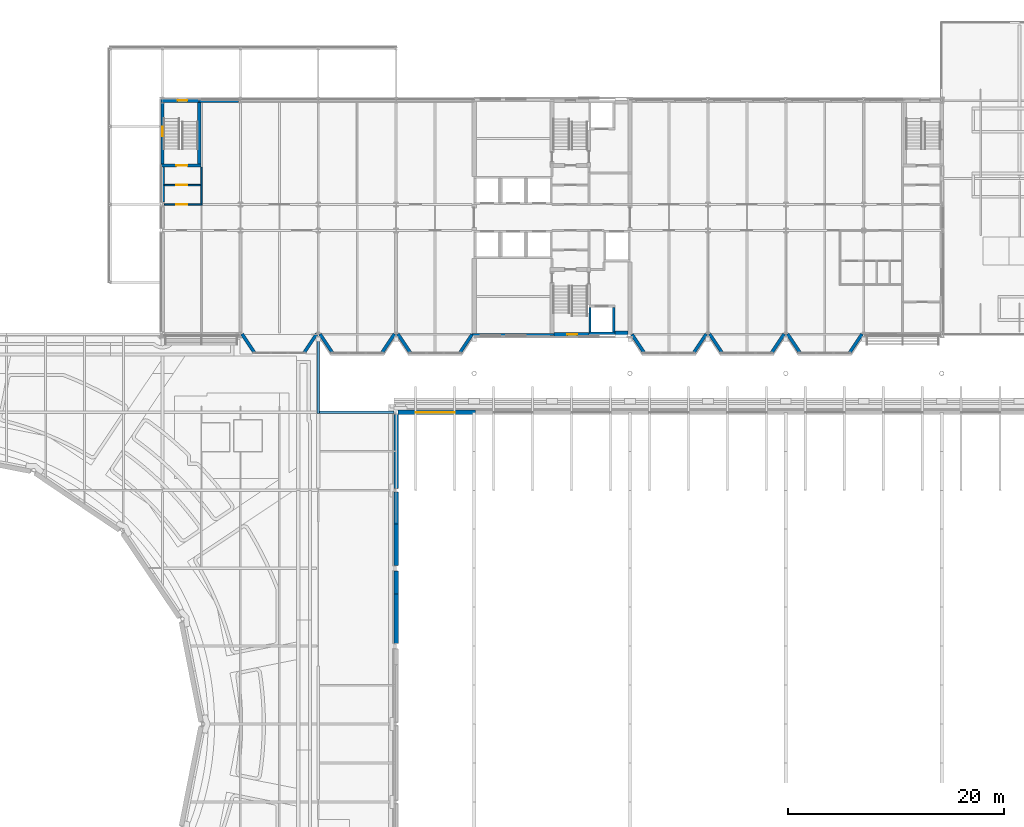
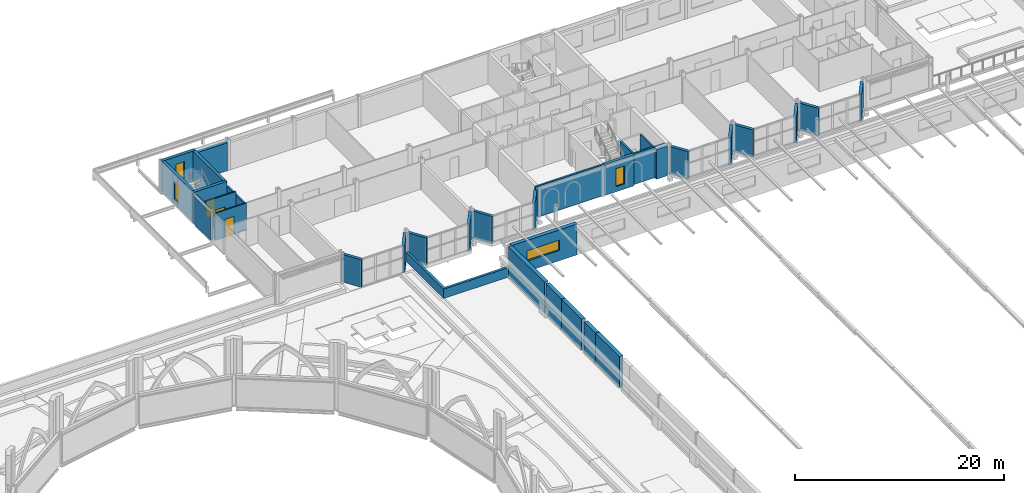
# One storey, part 40 of 110: 35 walls, 4 windows, 3 doors, 7 openings.
"""IFC4 building model written with IfcOpenShell, lengths in metres."""

from ifc_helpers import new_model, si_unit, direction, frame, frame_2d, origin, place, context, subcontext, project, spatial, rectangle, extrude, material, layer, layer_set, type_object, element, fill, save


model = new_model("IFC4")

# Units and contexts
model_context = context("Model", 3, precision=1e-05, world=origin(), true_north=direction((0.0, 1.0)))
body_context = subcontext(model_context, "Body", "Model", "MODEL_VIEW")
ifc_project = project(units=[si_unit("LENGTHUNIT", "METRE"), si_unit("AREAUNIT", "SQUARE_METRE"), si_unit("VOLUMEUNIT", "CUBIC_METRE"), si_unit("PLANEANGLEUNIT", "RADIAN"), si_unit("MASSUNIT", "GRAM", prefix="KILO")], contexts=[model_context])

# Site, building, storey
site_placement = place(None, origin())
site = spatial("IfcSite", under=ifc_project, at=site_placement, CompositionType="ELEMENT")
building_placement = place(site_placement, origin())
building = spatial("IfcBuilding", under=site, at=building_placement, Name="Kupolbacken Congress Centre", CompositionType="ELEMENT")
storey_placement = place(building_placement, frame((0.0, 0.0, 18.0)))
storey = spatial("IfcBuildingStorey", under=building, at=storey_placement, Name="L05", CompositionType="ELEMENT", Elevation=18.0)

# Walls
ifc_material_1 = material(Name="Limestone", Category="masonry")
ifc_layer_1 = layer(ifc_material_1, 0.06005859375)
ifc_material_2 = material(Name="Air cavity", Category="air")
ifc_layer_2 = layer(ifc_material_2, 0.0400390625, ventilated=True)
ifc_material_3 = material(Name="Mineral wool", Category="insulation")
ifc_layer_3 = layer(ifc_material_3, 0.14990234375)
ifc_material_4 = material(Name="Steel studs", Category="metal")
ifc_layer_4 = layer(ifc_material_4, 0.050048828125)
ifc_layer_set_1 = layer_set([ifc_layer_1, ifc_layer_2, ifc_layer_3, ifc_layer_4], Name="Limestone / Mineral wool / Steel studs")
wall_type_1 = type_object("IfcWallType", Name="EW01 external cavity wall 300", PredefinedType="SOLIDWALL", material=ifc_layer_set_1)
for number, where, z_axis, x_axis, name in (
    (1, (72.153564453125, 122.440185546875, 0.0), (0.0, 0.0, 1.0), (0.554620150341, -0.8321036527, 0.0), "E/T/cumba/L05/S/001/facW"),
    (2, (79.04638671875, 122.440185546875, 0.0), (0.0, 0.0, 1.0), (-0.554620150341, -0.8321036527, 0.0), "E/T/cumba/L05/S/001/facE"),
):
    element("IfcWall", number, at=place(storey_placement, frame(where, z_axis=z_axis, x_axis=x_axis)), inside=storey, type_object=wall_type_1, Name=name, PredefinedType="SOLIDWALL", context=body_context, shape_type="SweptSolid", body=[
        extrude(rectangle(XDim=2.111572265625, YDim=0.300048828125, at=frame_2d((1.0556640625, 0.0))), origin(), (0.0, 0.0, 1.0), 3.219970703125),
    ])
for number, where, z_axis, x_axis, name in (
    (3, (79.353515625, 122.440185546875, 0.0), (0.0, 0.0, 1.0), (0.554700196225, -0.832050294338, 0.0), "E/T/cumba/L05/S/005/facW"),
    (4, (86.24658203125, 122.440185546875, 0.0), (0.0, 0.0, 1.0), (-0.554700196225, -0.832050294338, 0.0), "E/T/cumba/L05/S/005/facE"),
    (5, (86.553466796875, 122.440185546875, 0.0), (0.0, 0.0, 1.0), (0.554700196225, -0.832050294338, 0.0), "E/T/cumba/L05/S/009/facW"),
):
    element("IfcWall", number, at=place(storey_placement, frame(where, z_axis=z_axis, x_axis=x_axis)), inside=storey, type_object=wall_type_1, Name=name, PredefinedType="SOLIDWALL", context=body_context, shape_type="SweptSolid", body=[
        extrude(rectangle(XDim=2.11181640625, YDim=0.300048828125, at=frame_2d((1.055908203125, 0.0))), origin(), (0.0, 0.0, 1.0), 3.219970703125),
    ])
for number, where, z_axis, x_axis, name in (
    (6, (93.419677734375, 122.39990234375, 0.0), (0.0, 0.0, 1.0), (-0.554700196225, -0.832050294338, 0.0), "E/T/cumba/L05/S/009/facE"),
    (7, (108.180419921875, 122.39990234375, 0.0), (0.0, 0.0, 1.0), (0.554618271946, -0.832104904699, 0.0), "E/T/cumba/L05/S/013/facW"),
):
    element("IfcWall", number, at=place(storey_placement, frame(where, z_axis=z_axis, x_axis=x_axis)), inside=storey, type_object=wall_type_1, Name=name, PredefinedType="SOLIDWALL", context=body_context, shape_type="SweptSolid", body=[
        extrude(rectangle(XDim=2.063232421875, YDim=0.300048828125, at=frame_2d((1.03173828125, 0.0))), origin(), (0.0, 0.0, 1.0), 3.219970703125),
    ])
wall_1_placement = place(storey_placement, frame((115.04638671875, 122.440185546875, 0.0), z_axis=(0.0, 0.0, 1.0), x_axis=(-0.554620150341, -0.8321036527, 0.0)))
element("IfcWall", 8, at=wall_1_placement, inside=storey, type_object=wall_type_1, Name="E/T/cumba/L05/S/013/facE", PredefinedType="SOLIDWALL", context=body_context, shape_type="SweptSolid", body=[
    extrude(rectangle(XDim=2.111572265625, YDim=0.300048828125, at=frame_2d((1.0556640625, 0.0))), origin(), (0.0, 0.0, 1.0), 3.219970703125),
])
for number, where, z_axis, x_axis, name in (
    (9, (115.353515625, 122.440185546875, 0.0), (0.0, 0.0, 1.0), (0.554700196225, -0.832050294338, 0.0), "E/T/cumba/L05/S/017/facW"),
    (10, (122.24658203125, 122.440185546875, 0.0), (0.0, 0.0, 1.0), (-0.554700196225, -0.832050294338, 0.0), "E/T/cumba/L05/S/017/facE"),
    (11, (122.553466796875, 122.440185546875, 0.0), (0.0, 0.0, 1.0), (0.554700196225, -0.832050294338, 0.0), "E/T/cumba/L05/S/021/facW"),
    (12, (129.446533203125, 122.440185546875, 0.0), (0.0, 0.0, 1.0), (-0.554700196225, -0.832050294338, 0.0), "E/T/cumba/L05/S/021/facE"),
):
    element("IfcWall", number, at=place(storey_placement, frame(where, z_axis=z_axis, x_axis=x_axis)), inside=storey, type_object=wall_type_1, Name=name, PredefinedType="SOLIDWALL", context=body_context, shape_type="SweptSolid", body=[
        extrude(rectangle(XDim=2.11181640625, YDim=0.300048828125, at=frame_2d((1.055908203125, 0.0))), origin(), (0.0, 0.0, 1.0), 3.219970703125),
    ])
ifc_material_5 = material(Name="Brick", Category="masonry")
ifc_layer_5 = layer(ifc_material_5, 0.10791015625)
ifc_layer_6 = layer(ifc_material_2, 0.050048828125, ventilated=True)
ifc_layer_7 = layer(ifc_material_3, 0.1298828125)
ifc_layer_8 = layer(ifc_material_4, 0.052001953125)
ifc_layer_set_2 = layer_set([ifc_layer_5, ifc_layer_6, ifc_layer_7, ifc_layer_8], Name="Brick / Mineral wool / Steel studs")
wall_type_2 = type_object("IfcWallType", Name="EW02 external cavity wall 340", PredefinedType="SOLIDWALL", material=ifc_layer_set_2)
wall_2_placement = place(storey_placement, frame((71.846435546875, 144.0, 0.0), z_axis=(0.0, 0.0, 1.0), x_axis=(-1.0, 0.0, 0.0)))
element("IfcWall", 13, at=wall_2_placement, inside=storey, type_object=wall_type_2, Name="E/T/N/L05/073", PredefinedType="SOLIDWALL", context=body_context, shape_type="SweptSolid", body=[
    extrude(rectangle(XDim=3.646484375, YDim=0.340087890625, at=frame_2d((1.8232421875, 0.0))), origin(), (0.0, 0.0, 1.0), 3.260009765625),
])
wall_3_placement = place(storey_placement, frame((64.800048828125, 138.0, 0.0), z_axis=(0.0, 0.0, 1.0), x_axis=(0.0, -1.0, 0.0)))
element("IfcWall", 14, at=wall_3_placement, inside=storey, type_object=wall_type_2, Name="E/T/W/L05/077", PredefinedType="SOLIDWALL", context=body_context, shape_type="SweptSolid", body=[
    extrude(rectangle(XDim=3.375, YDim=0.340087890625, at=frame_2d((1.6875, 0.0))), origin(), (0.0, 0.0, 1.0), 3.260009765625),
])
ifc_layer_9 = layer(ifc_material_5, 0.10791015625)
ifc_layer_10 = layer(ifc_material_2, 0.0400390625, ventilated=True)
ifc_layer_11 = layer(ifc_material_3, 0.152099609375)
ifc_material_6 = material(Name="Concrete block", Category="masonry")
ifc_layer_12 = layer(ifc_material_6, 0.1201171875)
ifc_layer_set_3 = layer_set([ifc_layer_9, ifc_layer_10, ifc_layer_11, ifc_layer_12], Name="Brick / Mineral wool / Concrete block")
wall_type_3 = type_object("IfcWallType", Name="EW04 external cavity wall 420", PredefinedType="SOLIDWALL", material=ifc_layer_set_3)
wall_4_placement = place(storey_placement, frame((86.39990234375, 114.989990234375, 0.0), z_axis=(0.0, 0.0, 1.0), x_axis=(0.0, -1.0, 0.0)))
element("IfcWall", 15, at=wall_4_placement, inside=storey, type_object=wall_type_3, Name="E/H/W/L05/469", PredefinedType="SOLIDWALL", context=body_context, shape_type="SweptSolid", body=[
    extrude(rectangle(XDim=6.844970703125, YDim=0.419921875, at=frame_2d((3.42236328125, 0.0))), origin(), (0.0, 0.0, 1.0), 3.60009765625),
])
wall_5_placement = place(storey_placement, frame((86.39990234375, 107.85498046875, 0.0), z_axis=(0.0, 0.0, 1.0), x_axis=(0.0, -1.0, 0.0)))
element("IfcWall", 16, at=wall_5_placement, inside=storey, type_object=wall_type_3, Name="E/H/W/L05/470", PredefinedType="SOLIDWALL", context=body_context, shape_type="SweptSolid", body=[
    extrude(rectangle(XDim=2.955078125, YDim=0.419921875, at=frame_2d((1.4775390625, 0.0))), origin(), (0.0, 0.0, 1.0), 3.60009765625),
])
wall_6_placement = place(storey_placement, frame((86.39990234375, 104.89990234375, 0.0), z_axis=(0.0, 0.0, 1.0), x_axis=(0.0, -1.0, 0.0)))
element("IfcWall", 17, at=wall_6_placement, inside=storey, type_object=wall_type_3, Name="Shaft wall LR2 471", PredefinedType="SOLIDWALL", context=body_context, shape_type="SweptSolid", body=[
    extrude(rectangle(XDim=3.85498046875, YDim=0.419921875, at=frame_2d((1.927490234375, 0.0))), origin(), (0.0, 0.0, 1.0), 3.60009765625),
])
wall_7_placement = place(storey_placement, frame((86.39990234375, 100.554931640625, 0.0), z_axis=(0.0, 0.0, 1.0), x_axis=(0.0, -1.0, 0.0)))
element("IfcWall", 18, at=wall_7_placement, inside=storey, type_object=wall_type_3, Name="Shaft wall LR2 472", PredefinedType="SOLIDWALL", context=body_context, shape_type="SweptSolid", body=[
    extrude(rectangle(XDim=2.155029296875, YDim=0.419921875, at=frame_2d((1.07763671875, 0.0))), origin(), (0.0, 0.0, 1.0), 3.60009765625),
])
wall_8_placement = place(storey_placement, frame((86.39990234375, 98.39990234375, 0.0), z_axis=(0.0, 0.0, 1.0), x_axis=(0.0, -1.0, 0.0)))
element("IfcWall", 19, at=wall_8_placement, inside=storey, type_object=wall_type_3, Name="Shaft wall LR4 473", PredefinedType="SOLIDWALL", context=body_context, shape_type="SweptSolid", body=[
    extrude(rectangle(XDim=4.554931640625, YDim=0.419921875, at=frame_2d((2.27734375, 0.0))), origin(), (0.0, 0.0, 1.0), 3.60009765625),
])

# Wall, opening, window
wall_9_placement = place(storey_placement, frame((93.7451171875, 115.199951171875, 0.0), z_axis=(0.0, 0.0, 1.0), x_axis=(-1.0, 0.0, 0.0)))
wall_9 = element("IfcWall", 20, at=wall_9_placement, inside=storey, type_object=wall_type_3, Name="E/H/N/L05/467.h2", PredefinedType="SOLIDWALL", context=body_context, shape_type="SweptSolid", body=[
    extrude(rectangle(XDim=7.195068359375, YDim=0.419921875, at=frame_2d((3.59765625, 0.0))), origin(), (0.0, 0.0, 1.0), 3.60009765625),
])
opening_1_placement = place(wall_9_placement, frame((1.945068359375, 0.0, 1.199951171875)))
opening_1 = element("IfcOpeningElement", 21, at=opening_1_placement, cuts=wall_9, Name="Opening W12", PredefinedType="OPENING", context=body_context, shape_type="SweptSolid", body=[
    extrude(rectangle(XDim=3.60009765625, YDim=1.199951171875, at=frame_2d((1.800048828125, 0.60009765625))), frame((0.0, 0.219970703125, 0.0), z_axis=(0.0, -1.0, 0.0), x_axis=(1.0, 0.0, 0.0)), (0.0, 0.0, 1.0), 0.43994140625),
])
ifc_material_7 = material(Name="Aluminium frame with double or triple glazing", Category="aluminium")
window_type_1 = type_object("IfcWindowType", Name="W12 window 3600x1200", PartitioningType="TRIPLE_PANEL_VERTICAL", PredefinedType="WINDOW", material=ifc_material_7)
window_1_placement = place(opening_1_placement, origin())
window_1 = element("IfcWindow", 22, at=window_1_placement, inside=storey, type_object=window_type_1, Name="E/H/N/L05/467/W1", OverallHeight=1.199951171875, OverallWidth=3.60009765625, PartitioningType="SINGLE_PANEL", PredefinedType="WINDOW", context=body_context, shape_type="SweptSolid", body=[
    extrude(rectangle(XDim=3.60009765625, YDim=1.199951171875, at=frame_2d((1.800048828125, 0.60009765625))), frame((0.0, 0.030029296875, 0.0), z_axis=(0.0, -1.0, 0.0), x_axis=(1.0, 0.0, 0.0)), (0.0, 0.0, 1.0), 0.06005859375),
])
fill(opening_1, window_1)

# Wall
ifc_material_8 = material(Name="Concrete C40/50", Category="concrete")
ifc_layer_13 = layer(ifc_material_8, 0.35009765625)
ifc_layer_14 = layer(ifc_material_3, 0.1220703125)
ifc_layer_15 = layer(ifc_material_2, 0.0400390625, ventilated=True)
ifc_layer_16 = layer(ifc_material_5, 0.10791015625)
ifc_layer_set_4 = layer_set([ifc_layer_13, ifc_layer_14, ifc_layer_15, ifc_layer_16], Name="Concrete C40/50 / Mineral wool / Brick")
wall_type_4 = type_object("IfcWallType", Name="EW10 external cavity wall 620", PredefinedType="SOLIDWALL", material=ifc_layer_set_4)
wall_10_placement = place(storey_placement, frame((106.60009765625, 122.39990234375, 0.0), z_axis=(0.0, 0.0, 1.0), x_axis=(1.0, 0.0, 0.0)))
element("IfcWall", 23, at=wall_10_placement, inside=storey, type_object=wall_type_4, Name="E/T/S/L05/075", PredefinedType="SOLIDWALL", context=body_context, shape_type="SweptSolid", body=[
    extrude(rectangle(XDim=1.199951171875, YDim=0.6201171875, at=frame_2d((0.60009765625, 0.0))), origin(), (0.0, 0.0, 1.0), 3.4599609375),
])

# Wall, opening, door
ifc_material_9 = material(Name="Aerated concrete block", Category="masonry")
ifc_layer_17 = layer(ifc_material_9, 0.139892578125)
ifc_layer_set_5 = layer_set([ifc_layer_17], Name="Aerated concrete block")
wall_type_5 = type_object("IfcWallType", Name="P14 compartment wall 140", PredefinedType="PARTITIONING", material=ifc_layer_set_5)
wall_11_placement = place(storey_placement, frame((64.969970703125, 134.39990234375, 0.0), z_axis=(0.0, 0.0, 1.0), x_axis=(1.0, 0.0, 0.0)))
wall_11 = element("IfcWall", 24, at=wall_11_placement, inside=storey, type_object=wall_type_5, Name="T/wall/L05/x/13440/6480", PredefinedType="PARTITIONING", context=body_context, shape_type="SweptSolid", body=[
    extrude(rectangle(XDim=3.5, YDim=0.139892578125, at=frame_2d((1.75, 0.0))), origin(), (0.0, 0.0, 1.0), 3.159912109375),
])
opening_2_placement = place(wall_11_placement, frame((1.1298828125, 0.0, 0.0)))
opening_2 = element("IfcOpeningElement", 25, at=opening_2_placement, cuts=wall_11, Name="Opening D5", PredefinedType="OPENING", context=body_context, shape_type="SweptSolid", body=[
    extrude(rectangle(XDim=1.0, YDim=2.10009765625, at=frame_2d((0.5, 1.050048828125))), frame((0.0, 0.079833984375, 0.0), z_axis=(0.0, -1.0, 0.0), x_axis=(1.0, 0.0, 0.0)), (0.0, 0.0, 1.0), 0.159912109375),
])
ifc_material_10 = material(Name="Steel fire door leaf", Category="steel")
door_type = type_object("IfcDoorType", Name="D5 stair door 1000x2100", OperationType="SINGLE_SWING_LEFT", PredefinedType="DOOR", material=ifc_material_10)
door_1_placement = place(opening_2_placement, frame((1.0, 0.0, 0.0), z_axis=(0.0, 0.0, 1.0), x_axis=(-1.0, 0.0, 0.0)))
door_1 = element("IfcDoor", 26, at=door_1_placement, inside=storey, type_object=door_type, Name="T/wall/L05/x/13440/6480/D-TS3-LK3", OperationType="SINGLE_SWING_LEFT", OverallHeight=2.10009765625, OverallWidth=1.0, PredefinedType="DOOR", context=body_context, shape_type="SweptSolid", body=[
    extrude(rectangle(XDim=1.0, YDim=2.10009765625, at=frame_2d((0.5, 1.050048828125))), frame((0.0, 0.02490234375, 0.0), z_axis=(0.0, -1.0, 0.0), x_axis=(1.0, 0.0, 0.0)), (0.0, 0.0, 1.0), 0.050048828125),
])
fill(opening_2, door_1)

wall_12_placement = place(storey_placement, frame((64.969970703125, 136.199951171875, 0.0), z_axis=(0.0, 0.0, 1.0), x_axis=(1.0, 0.0, 0.0)))
wall_12 = element("IfcWall", 27, at=wall_12_placement, inside=storey, type_object=wall_type_5, Name="T/wall/L05/x/13620/6480", PredefinedType="PARTITIONING", context=body_context, shape_type="SweptSolid", body=[
    extrude(rectangle(XDim=3.360107421875, YDim=0.139892578125, at=frame_2d((1.68017578125, 0.0))), origin(), (0.0, 0.0, 1.0), 3.4599609375),
])
opening_3_placement = place(wall_12_placement, frame((1.1298828125, 0.0, 0.0)))
opening_3 = element("IfcOpeningElement", 28, at=opening_3_placement, cuts=wall_12, Name="Opening D5", PredefinedType="OPENING", context=body_context, shape_type="SweptSolid", body=[
    extrude(rectangle(XDim=1.0, YDim=2.10009765625, at=frame_2d((0.5, 1.050048828125))), frame((0.0, 0.079833984375, 0.0), z_axis=(0.0, -1.0, 0.0), x_axis=(1.0, 0.0, 0.0)), (0.0, 0.0, 1.0), 0.159912109375),
])
door_2_placement = place(opening_3_placement, frame((1.0, 0.0, 0.0), z_axis=(0.0, 0.0, 1.0), x_axis=(-1.0, 0.0, 0.0)))
door_2 = element("IfcDoor", 29, at=door_2_placement, inside=storey, type_object=door_type, Name="T/wall/L05/x/13620/6480/D-TS3-LK2", OperationType="SINGLE_SWING_LEFT", OverallHeight=2.10009765625, OverallWidth=1.0, PredefinedType="DOOR", context=body_context, shape_type="SweptSolid", body=[
    extrude(rectangle(XDim=1.0, YDim=2.10009765625, at=frame_2d((0.5, 1.050048828125))), frame((0.0, 0.02490234375, 0.0), z_axis=(0.0, -1.0, 0.0), x_axis=(1.0, 0.0, 0.0)), (0.0, 0.0, 1.0), 0.050048828125),
])
fill(opening_3, door_2)

# Walls
wall_13_placement = place(storey_placement, frame((68.39990234375, 134.469970703125, 0.0), z_axis=(0.0, 0.0, 1.0), x_axis=(0.0, 1.0, 0.0)))
element("IfcWall", 30, at=wall_13_placement, inside=storey, type_object=wall_type_5, Name="T/wall/L05/y/6840/13440", PredefinedType="PARTITIONING", context=body_context, shape_type="SweptSolid", body=[
    extrude(rectangle(XDim=3.380126953125, YDim=0.139892578125, at=frame_2d((1.68994140625, 0.0))), origin(), (0.0, 0.0, 1.0), 3.06005859375),
])
ifc_layer_18 = layer(ifc_material_5, 0.10791015625)
ifc_layer_19 = layer(ifc_material_6, 0.152099609375)
ifc_layer_set_6 = layer_set([ifc_layer_18, ifc_layer_19], Name="Brick / Concrete block")
wall_type_6 = type_object("IfcWallType", Name="PW2 parapet 260", PredefinedType="PARAPET", material=ifc_layer_set_6)
for number, where, z_axis, x_axis, name in (
    (31, (79.199951171875, 122.199951171875, 0.0), (0.0, 0.0, 1.0), (0.0, -1.0, 0.0), "E/roof/ring/03/01"),
    (32, (79.070068359375, 115.199951171875, 0.0), (0.0, 0.0, 1.0), (1.0, 0.0, 0.0), "E/roof/ring/03/02"),
):
    element("IfcWall", number, at=place(storey_placement, frame(where, z_axis=z_axis, x_axis=x_axis)), inside=storey, type_object=wall_type_6, Name=name, PredefinedType="PARAPET", context=body_context, shape_type="SweptSolid", body=[
        extrude(rectangle(XDim=7.1298828125, YDim=0.260009765625, at=frame_2d((3.56494140625, 0.0))), origin(), (0.0, 0.0, 1.0), 1.10009765625),
    ])
ifc_material_11 = material(Name="Concrete C40/50", Category="concrete")
ifc_layer_20 = layer(ifc_material_11, 0.199951171875)
ifc_layer_set_7 = layer_set([ifc_layer_20], Name="Concrete C40/50")
wall_type_7 = type_object("IfcWallType", Name="WC1 RC shaft wall 200", PredefinedType="SHEAR", material=ifc_layer_set_7)
wall_14_placement = place(storey_placement, frame((93.39990234375, 122.39990234375, 0.0), z_axis=(0.0, 0.0, 1.0), x_axis=(1.0, 0.0, 0.0)))
element("IfcWall", 33, at=wall_14_placement, inside=storey, type_object=wall_type_7, Name="Shaft wall L05-078", PredefinedType="SHEAR", context=body_context, shape_type="SweptSolid", body=[
    extrude(rectangle(XDim=7.5751953125, YDim=0.199951171875, at=frame_2d((3.78759765625, 0.0))), origin(), (0.0, 0.0, 1.0), 3.60009765625),
])
wall_15_placement = place(storey_placement, frame((104.199951171875, 122.5, 0.0), z_axis=(0.0, 0.0, 1.0), x_axis=(1.0, 0.0, 0.0)))
element("IfcWall", 34, at=wall_15_placement, inside=storey, type_object=wall_type_7, Name="Shaft wall LF1", PredefinedType="SHEAR", context=body_context, shape_type="SweptSolid", body=[
    extrude(rectangle(XDim=2.400146484375, YDim=0.199951171875, at=frame_2d((1.2001953125, 0.0))), origin(), (0.0, 0.0, 1.0), 3.60009765625),
])
for number, where, z_axis, x_axis, name in (
    (35, (104.300048828125, 122.60009765625, 0.0), (0.0, 0.0, 1.0), (0.0, 1.0, 0.0), "Shaft wall LF1"),
    (36, (106.5, 122.60009765625, 0.0), (0.0, 0.0, 1.0), (0.0, 1.0, 0.0), "Shaft wall LF1"),
):
    element("IfcWall", number, at=place(storey_placement, frame(where, z_axis=z_axis, x_axis=x_axis)), inside=storey, type_object=wall_type_7, Name=name, PredefinedType="SHEAR", context=body_context, shape_type="SweptSolid", body=[
        extrude(rectangle(XDim=2.2998046875, YDim=0.199951171875, at=frame_2d((1.14990234375, 0.0))), origin(), (0.0, 0.0, 1.0), 3.60009765625),
    ])

# Wall, opening, door
ifc_material_12 = material(Name="Concrete C40/50", Category="concrete")
ifc_layer_21 = layer(ifc_material_12, 0.300048828125)
ifc_layer_set_8 = layer_set([ifc_layer_21], Name="Concrete C40/50")
wall_type_8 = type_object("IfcWallType", Name="WC3 RC core wall 300", PredefinedType="SHEAR", material=ifc_layer_set_8)
wall_16_placement = place(storey_placement, frame((64.64990234375, 138.0, 0.0), z_axis=(0.0, 0.0, 1.0), x_axis=(1.0, 0.0, 0.0)))
wall_16 = element("IfcWall", 37, at=wall_16_placement, inside=storey, type_object=wall_type_8, Name="Core wall L05-118", PredefinedType="SHEAR", context=body_context, shape_type="SweptSolid", body=[
    extrude(rectangle(XDim=3.7001953125, YDim=0.300048828125, at=frame_2d((1.85009765625, 0.0))), origin(), (0.0, 0.0, 1.0), 3.60009765625),
])
opening_4_placement = place(wall_16_placement, frame((1.449951171875, 0.0, 0.0)))
opening_4 = element("IfcOpeningElement", 38, at=opening_4_placement, cuts=wall_16, Name="Opening D5", PredefinedType="OPENING", context=body_context, shape_type="SweptSolid", body=[
    extrude(rectangle(XDim=1.0, YDim=2.10009765625, at=frame_2d((0.5, 1.050048828125))), frame((0.0, 0.159912109375, 0.0), z_axis=(0.0, -1.0, 0.0), x_axis=(1.0, 0.0, 0.0)), (0.0, 0.0, 1.0), 0.320068359375),
])
door_3_placement = place(opening_4_placement, origin())
door_3 = element("IfcDoor", 39, at=door_3_placement, inside=storey, type_object=door_type, Name="S/core/L05/118/D-TS3-LK1", OperationType="SINGLE_SWING_LEFT", OverallHeight=2.10009765625, OverallWidth=1.0, PredefinedType="DOOR", context=body_context, shape_type="SweptSolid", body=[
    extrude(rectangle(XDim=1.0, YDim=2.10009765625, at=frame_2d((0.5, 1.050048828125))), frame((0.0, 0.02490234375, 0.0), z_axis=(0.0, -1.0, 0.0), x_axis=(1.0, 0.0, 0.0)), (0.0, 0.0, 1.0), 0.050048828125),
])
fill(opening_4, door_3)

# Wall
wall_17_placement = place(storey_placement, frame((68.199951171875, 137.85009765625, 0.0), z_axis=(0.0, 0.0, 1.0), x_axis=(0.0, 1.0, 0.0)))
element("IfcWall", 40, at=wall_17_placement, inside=storey, type_object=wall_type_8, Name="Core wall L05-119", PredefinedType="SHEAR", context=body_context, shape_type="SweptSolid", body=[
    extrude(rectangle(XDim=6.2998046875, YDim=0.300048828125, at=frame_2d((3.14990234375, 0.0))), origin(), (0.0, 0.0, 1.0), 3.60009765625),
])

# Wall, opening, window
wall_18_placement = place(storey_placement, frame((64.800048828125, 144.14990234375, 0.0), z_axis=(0.0, 0.0, 1.0), x_axis=(0.0, -1.0, 0.0)))
wall_18 = element("IfcWall", 41, at=wall_18_placement, inside=storey, type_object=wall_type_8, Name="Core wall L05-124", PredefinedType="SHEAR", context=body_context, shape_type="SweptSolid", body=[
    extrude(rectangle(XDim=6.2998046875, YDim=0.300048828125, at=frame_2d((3.14990234375, 0.0))), origin(), (0.0, 0.0, 1.0), 3.60009765625),
])
opening_5_placement = place(wall_18_placement, frame((2.550048828125, 0.0, 0.60009765625)))
opening_5 = element("IfcOpeningElement", 42, at=opening_5_placement, cuts=wall_18, Name="Opening W28", PredefinedType="OPENING", context=body_context, shape_type="SweptSolid", body=[
    extrude(rectangle(XDim=0.89990234375, YDim=2.10009765625, at=frame_2d((0.449951171875, 1.050048828125))), frame((0.0, 0.159912109375, 0.0), z_axis=(0.0, -1.0, 0.0), x_axis=(1.0, 0.0, 0.0)), (0.0, 0.0, 1.0), 0.320068359375),
])
ifc_material_13 = material(Name="Aluminium frame with double or triple glazing", Category="aluminium")
window_type_2 = type_object("IfcWindowType", Name="W28 window 900x2100", PartitioningType="SINGLE_PANEL", PredefinedType="WINDOW", material=ifc_material_13)
window_2_placement = place(opening_5_placement, origin())
window_2 = element("IfcWindow", 43, at=window_2_placement, inside=storey, type_object=window_type_2, Name="S/core/L05/124/WW28", OverallHeight=2.10009765625, OverallWidth=0.89990234375, PartitioningType="SINGLE_PANEL", PredefinedType="WINDOW", context=body_context, shape_type="SweptSolid", body=[
    extrude(rectangle(XDim=0.89990234375, YDim=2.10009765625, at=frame_2d((0.449951171875, 1.050048828125))), frame((0.0, 0.030029296875, 0.0), z_axis=(0.0, -1.0, 0.0), x_axis=(1.0, 0.0, 0.0)), (0.0, 0.0, 1.0), 0.06005859375),
])
fill(opening_5, window_2)

wall_19_placement = place(storey_placement, frame((68.35009765625, 144.0, 0.0), z_axis=(0.0, 0.0, 1.0), x_axis=(-1.0, 0.0, 0.0)))
wall_19 = element("IfcWall", 44, at=wall_19_placement, inside=storey, type_object=wall_type_8, Name="Core wall L05-125", PredefinedType="SHEAR", context=body_context, shape_type="SweptSolid", body=[
    extrude(rectangle(XDim=3.7001953125, YDim=0.300048828125, at=frame_2d((1.85009765625, 0.0))), origin(), (0.0, 0.0, 1.0), 3.60009765625),
])
opening_6_placement = place(wall_19_placement, frame((1.25, 0.0, 0.60009765625)))
opening_6 = element("IfcOpeningElement", 45, at=opening_6_placement, cuts=wall_19, Name="Opening W28", PredefinedType="OPENING", context=body_context, shape_type="SweptSolid", body=[
    extrude(rectangle(XDim=0.89990234375, YDim=2.10009765625, at=frame_2d((0.449951171875, 1.050048828125))), frame((0.0, 0.159912109375, 0.0), z_axis=(0.0, -1.0, 0.0), x_axis=(1.0, 0.0, 0.0)), (0.0, 0.0, 1.0), 0.320068359375),
])
window_3_placement = place(opening_6_placement, origin())
window_3 = element("IfcWindow", 46, at=window_3_placement, inside=storey, type_object=window_type_2, Name="S/core/L05/125/WW28", OverallHeight=2.10009765625, OverallWidth=0.89990234375, PartitioningType="SINGLE_PANEL", PredefinedType="WINDOW", context=body_context, shape_type="SweptSolid", body=[
    extrude(rectangle(XDim=0.89990234375, YDim=2.10009765625, at=frame_2d((0.449951171875, 1.050048828125))), frame((0.0, 0.030029296875, 0.0), z_axis=(0.0, -1.0, 0.0), x_axis=(1.0, 0.0, 0.0)), (0.0, 0.0, 1.0), 0.06005859375),
])
fill(opening_6, window_3)

ifc_material_14 = material(Name="Concrete C40/50", Category="concrete")
ifc_layer_22 = layer(ifc_material_14, 0.35009765625)
ifc_layer_set_9 = layer_set([ifc_layer_22], Name="Concrete C40/50")
wall_type_9 = type_object("IfcWallType", Name="WC4 RC core wall 350", PredefinedType="SHEAR", material=ifc_layer_set_9)
wall_20_placement = place(storey_placement, frame((100.97509765625, 122.39990234375, 0.0), z_axis=(0.0, 0.0, 1.0), x_axis=(1.0, 0.0, 0.0)))
wall_20 = element("IfcWall", 47, at=wall_20_placement, inside=storey, type_object=wall_type_9, Name="Core wall L05-079", PredefinedType="SHEAR", context=body_context, shape_type="SweptSolid", body=[
    extrude(rectangle(XDim=3.224853515625, YDim=0.35009765625, at=frame_2d((1.6123046875, 0.0))), origin(), (0.0, 0.0, 1.0), 3.60009765625),
])
opening_7_placement = place(wall_20_placement, frame((1.25, 0.0, 0.60009765625)))
opening_7 = element("IfcOpeningElement", 48, at=opening_7_placement, cuts=wall_20, Name="Opening W28", PredefinedType="OPENING", context=body_context, shape_type="SweptSolid", body=[
    extrude(rectangle(XDim=0.89990234375, YDim=2.10009765625, at=frame_2d((0.449951171875, 1.050048828125))), frame((0.0, 0.18505859375, 0.0), z_axis=(0.0, -1.0, 0.0), x_axis=(1.0, 0.0, 0.0)), (0.0, 0.0, 1.0), 0.3701171875),
])
window_4_placement = place(opening_7_placement, origin())
window_4 = element("IfcWindow", 49, at=window_4_placement, inside=storey, type_object=window_type_2, Name="S/core/L05/079/WW28", OverallHeight=2.10009765625, OverallWidth=0.89990234375, PartitioningType="SINGLE_PANEL", PredefinedType="WINDOW", context=body_context, shape_type="SweptSolid", body=[
    extrude(rectangle(XDim=0.89990234375, YDim=2.10009765625, at=frame_2d((0.449951171875, 1.050048828125))), frame((0.0, 0.030029296875, 0.0), z_axis=(0.0, -1.0, 0.0), x_axis=(1.0, 0.0, 0.0)), (0.0, 0.0, 1.0), 0.06005859375),
])
fill(opening_7, window_4)

save(model, "model.ifc")
